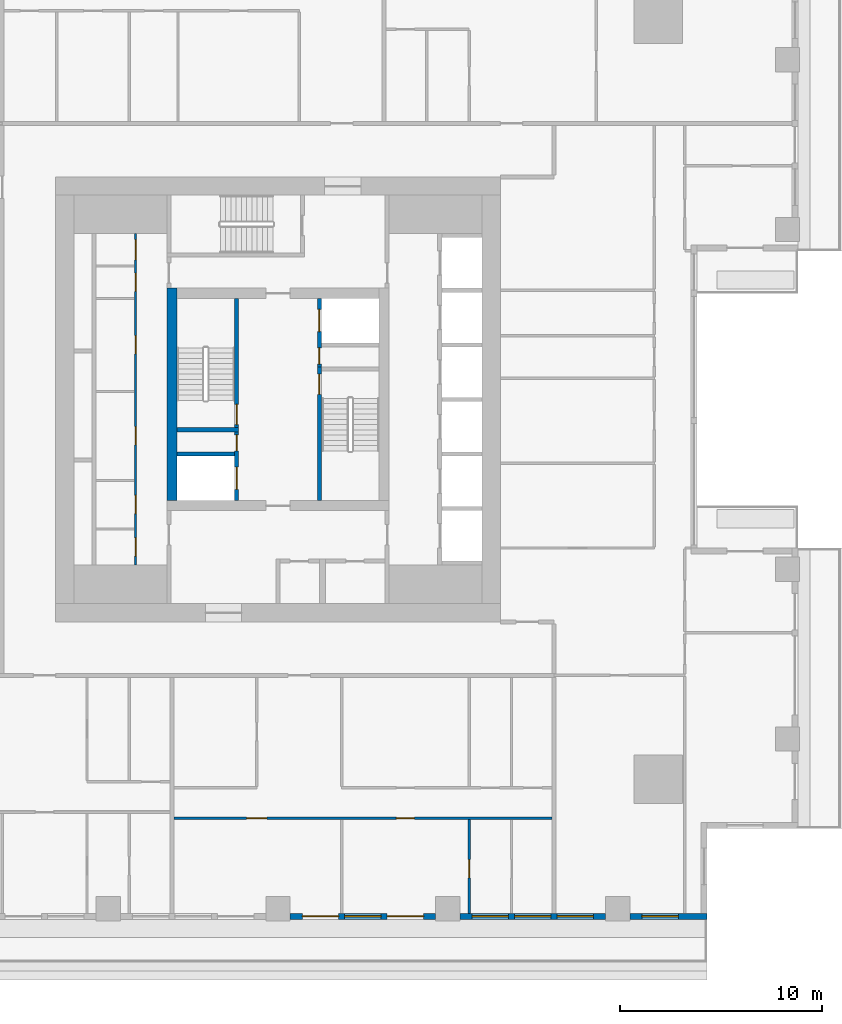
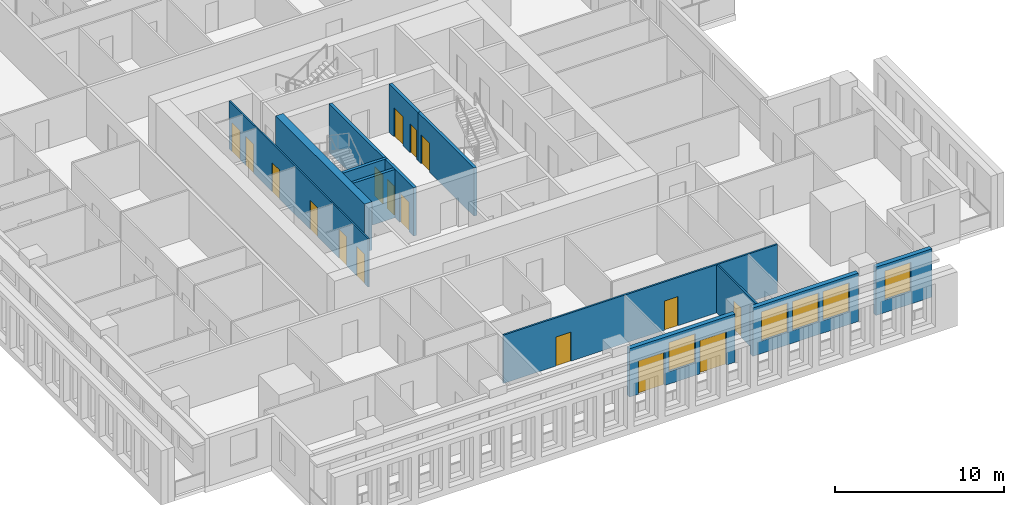
# One storey, part 4 of 16: 17 doors, 13 walls, 5 windows, 22 openings.
"""IFC4 building model written with IfcOpenShell, lengths in metres."""

from ifc_helpers import new_model, si_unit, direction, frame, frame_2d, origin, place, context, subcontext, project, spatial, rectangle, extrude, material, layer, layer_set, type_object, element, fill, save


model = new_model("IFC4")

# Units and contexts
model_context = context("Model", 3, precision=1e-05, world=origin(), true_north=direction((0.0, 1.0)))
body_context = subcontext(model_context, "Body", "Model", "MODEL_VIEW")
ifc_project = project(units=[si_unit("LENGTHUNIT", "METRE"), si_unit("AREAUNIT", "SQUARE_METRE"), si_unit("VOLUMEUNIT", "CUBIC_METRE"), si_unit("PLANEANGLEUNIT", "RADIAN"), si_unit("MASSUNIT", "GRAM", prefix="KILO")], contexts=[model_context])

# Site, building, storey
site_placement = place(None, origin())
site = spatial("IfcSite", under=ifc_project, at=site_placement, CompositionType="ELEMENT")
building_placement = place(site_placement, origin())
building = spatial("IfcBuilding", under=site, at=building_placement, Name="Khepri Terraces", CompositionType="ELEMENT")
storey_placement = place(building_placement, frame((0.0, 0.0, 204.0)))
storey = spatial("IfcBuildingStorey", under=building, at=storey_placement, Name="L48", CompositionType="ELEMENT", Elevation=204.0)

# Wall, opening, door
ifc_material_1 = material(Name="Concrete C50/60", Category="concrete")
ifc_layer_1 = layer(ifc_material_1, 0.199951171875, Name="Concrete C50/60", Category="concrete")
ifc_layer_set_1 = layer_set([ifc_layer_1], Name="Concrete C50/60")
wall_type_1 = type_object("IfcWallType", Name="Core wall 200 C50/60", PredefinedType="SHEAR", material=ifc_layer_set_1)
wall_1_placement = place(storey_placement, frame((2.050048828125, -5.0, 0.0), z_axis=(0.0, 0.0, 1.0), x_axis=(0.0, 1.0, 0.0)))
wall_1 = element("IfcWall", 1, at=wall_1_placement, inside=storey, type_object=wall_type_1, Name="Core wall ST01 L48", PredefinedType="SHEAR", context=body_context, shape_type="SweptSolid", body=[
    extrude(rectangle(XDim=6.60009765625, YDim=0.199951171875, at=frame_2d((3.300048828125, 0.0))), origin(), (0.0, 0.0, 1.0), 3.47998046875),
])
opening_1_placement = place(wall_1_placement, frame((5.25, 0.0, 0.0)))
opening_1 = element("IfcOpeningElement", 2, at=opening_1_placement, cuts=wall_1, Name="Opening L48-C10", PredefinedType="OPENING", context=body_context, shape_type="SweptSolid", body=[
    extrude(rectangle(XDim=1.0, YDim=2.10009765625, at=frame_2d((0.5, 1.050048828125))), frame((0.0, 0.10986328125, 0.0), z_axis=(0.0, -1.0, 0.0), x_axis=(1.0, 0.0, 0.0)), (0.0, 0.0, 1.0), 0.219970703125),
])
ifc_material_2 = material(Name="Painted steel", Category="steel")
door_type_1 = type_object("IfcDoorType", Name="DR-CORE-STAIR-1000", OperationType="NOTDEFINED", PredefinedType="DOOR", material=ifc_material_2)
door_1_placement = place(opening_1_placement, frame((1.0, 0.0, 0.0), z_axis=(0.0, 0.0, 1.0), x_axis=(-1.0, 0.0, 0.0)))
door_1 = element("IfcDoor", 3, at=door_1_placement, inside=storey, type_object=door_type_1, Name="Stair door L48-C10", OperationType="SINGLE_SWING_LEFT", OverallHeight=2.10009765625, OverallWidth=1.0, PredefinedType="DOOR", context=body_context, shape_type="SweptSolid", body=[
    extrude(rectangle(XDim=1.0, YDim=2.10009765625, at=frame_2d((0.5, 1.050048828125))), frame((0.0, 0.02490234375, 0.0), z_axis=(0.0, -1.0, 0.0), x_axis=(1.0, 0.0, 0.0)), (0.0, 0.0, 1.0), 0.050048828125),
])
fill(opening_1, door_1)

# Wall
wall_2_placement = place(storey_placement, frame((-5.0, -1.5, 0.0), z_axis=(0.0, 0.0, 1.0), x_axis=(1.0, 0.0, 0.0)))
element("IfcWall", 4, at=wall_2_placement, inside=storey, type_object=wall_type_1, Name="Core wall ST02 L48", PredefinedType="SHEAR", context=body_context, shape_type="SweptSolid", body=[
    extrude(rectangle(XDim=3.050048828125, YDim=0.199951171875, at=frame_2d((1.52490234375, 0.0))), origin(), (0.0, 0.0, 1.0), 3.47998046875),
])

# Wall, opening, door
wall_3_placement = place(storey_placement, frame((-2.050048828125, -1.39990234375, 0.0), z_axis=(0.0, 0.0, 1.0), x_axis=(0.0, 1.0, 0.0)))
wall_3 = element("IfcWall", 5, at=wall_3_placement, inside=storey, type_object=wall_type_1, Name="Core wall ST03 L48", PredefinedType="SHEAR", context=body_context, shape_type="SweptSolid", body=[
    extrude(rectangle(XDim=6.39990234375, YDim=0.199951171875, at=frame_2d((3.199951171875, 0.0))), origin(), (0.0, 0.0, 1.0), 3.47998046875),
])
opening_2_placement = place(wall_3_placement, frame((0.14990234375, 0.0, 0.0)))
opening_2 = element("IfcOpeningElement", 6, at=opening_2_placement, cuts=wall_3, Name="Opening L48-C09", PredefinedType="OPENING", context=body_context, shape_type="SweptSolid", body=[
    extrude(rectangle(XDim=1.0, YDim=2.10009765625, at=frame_2d((0.5, 1.050048828125))), frame((0.0, 0.10986328125, 0.0), z_axis=(0.0, -1.0, 0.0), x_axis=(1.0, 0.0, 0.0)), (0.0, 0.0, 1.0), 0.219970703125),
])
door_2_placement = place(opening_2_placement, origin())
door_2 = element("IfcDoor", 7, at=door_2_placement, inside=storey, type_object=door_type_1, Name="Stair door L48-C09", OperationType="SINGLE_SWING_LEFT", OverallHeight=2.10009765625, OverallWidth=1.0, PredefinedType="DOOR", context=body_context, shape_type="SweptSolid", body=[
    extrude(rectangle(XDim=1.0, YDim=2.10009765625, at=frame_2d((0.5, 1.050048828125))), frame((0.0, 0.02490234375, 0.0), z_axis=(0.0, -1.0, 0.0), x_axis=(1.0, 0.0, 0.0)), (0.0, 0.0, 1.0), 0.050048828125),
])
fill(opening_2, door_2)

# Wall, openings, doors
wall_4_placement = place(storey_placement, frame((-2.050048828125, -5.0, 0.0), z_axis=(0.0, 0.0, 1.0), x_axis=(0.0, 1.0, 0.0)))
wall_4 = element("IfcWall", 8, at=wall_4_placement, inside=storey, type_object=wall_type_1, Name="Core wall SH05 L48", PredefinedType="SHEAR", context=body_context, shape_type="SweptSolid", body=[
    extrude(rectangle(XDim=3.39990234375, YDim=0.199951171875, at=frame_2d((1.699951171875, 0.0))), origin(), (0.0, 0.0, 1.0), 3.47998046875),
])
opening_3_placement = place(wall_4_placement, frame((0.550048828125, 0.0, 0.0)))
opening_3 = element("IfcOpeningElement", 9, at=opening_3_placement, cuts=wall_4, Name="Opening L48-C08", PredefinedType="OPENING", context=body_context, shape_type="SweptSolid", body=[
    extrude(rectangle(XDim=1.10009765625, YDim=2.10009765625, at=frame_2d((0.550048828125, 1.050048828125))), frame((0.0, 0.10986328125, 0.0), z_axis=(0.0, -1.0, 0.0), x_axis=(1.0, 0.0, 0.0)), (0.0, 0.0, 1.0), 0.219970703125),
])
opening_4_placement = place(wall_4_placement, frame((2.449951171875, 0.0, 0.0)))
opening_4 = element("IfcOpeningElement", 10, at=opening_4_placement, cuts=wall_4, Name="Opening L48-C12", PredefinedType="OPENING", context=body_context, shape_type="SweptSolid", body=[
    extrude(rectangle(XDim=0.800048828125, YDim=2.10009765625, at=frame_2d((0.39990234375, 1.050048828125))), frame((0.0, 0.10986328125, 0.0), z_axis=(0.0, -1.0, 0.0), x_axis=(1.0, 0.0, 0.0)), (0.0, 0.0, 1.0), 0.219970703125),
])
ifc_material_3 = material(Name="Stainless steel 304", Category="steel")
door_type_2 = type_object("IfcDoorType", Name="DR-CORE-FF-LANDING-1100", OperationType="NOTDEFINED", PredefinedType="DOOR", material=ifc_material_3)
door_3_placement = place(opening_3_placement, origin())
door_3 = element("IfcDoor", 11, at=door_3_placement, inside=storey, type_object=door_type_2, Name="Firefighting lift landing door L48-C08", OperationType="SLIDING_TO_LEFT", OverallHeight=2.10009765625, OverallWidth=1.10009765625, PredefinedType="DOOR", context=body_context, shape_type="SweptSolid", body=[
    extrude(rectangle(XDim=1.10009765625, YDim=2.10009765625, at=frame_2d((0.550048828125, 1.050048828125))), frame((0.0, 0.02490234375, 0.0), z_axis=(0.0, -1.0, 0.0), x_axis=(1.0, 0.0, 0.0)), (0.0, 0.0, 1.0), 0.050048828125),
])
fill(opening_3, door_3)
door_type_3 = type_object("IfcDoorType", Name="DR-CORE-RISER-800", OperationType="NOTDEFINED", PredefinedType="DOOR", material=ifc_material_2)
door_4_placement = place(opening_4_placement, origin())
door_4 = element("IfcDoor", 12, at=door_4_placement, inside=storey, type_object=door_type_3, Name="Riser door L48-C12", OperationType="SINGLE_SWING_RIGHT", OverallHeight=2.10009765625, OverallWidth=0.800048828125, PredefinedType="DOOR", context=body_context, shape_type="SweptSolid", body=[
    extrude(rectangle(XDim=0.800048828125, YDim=2.10009765625, at=frame_2d((0.39990234375, 1.050048828125))), frame((0.0, 0.02490234375, 0.0), z_axis=(0.0, -1.0, 0.0), x_axis=(1.0, 0.0, 0.0)), (0.0, 0.0, 1.0), 0.050048828125),
])
fill(opening_4, door_4)

# Wall
wall_5_placement = place(storey_placement, frame((-5.0, -2.699951171875, 0.0), z_axis=(0.0, 0.0, 1.0), x_axis=(1.0, 0.0, 0.0)))
element("IfcWall", 13, at=wall_5_placement, inside=storey, type_object=wall_type_1, Name="Core wall SH07 L48", PredefinedType="SHEAR", context=body_context, shape_type="SweptSolid", body=[
    extrude(rectangle(XDim=2.85009765625, YDim=0.199951171875, at=frame_2d((1.425048828125, 0.0))), origin(), (0.0, 0.0, 1.0), 3.47998046875),
])

# Wall, openings, doors
wall_6_placement = place(storey_placement, frame((2.050048828125, 1.60009765625, 0.0), z_axis=(0.0, 0.0, 1.0), x_axis=(0.0, 1.0, 0.0)))
wall_6 = element("IfcWall", 14, at=wall_6_placement, inside=storey, type_object=wall_type_1, Name="Core wall SH10 L48", PredefinedType="SHEAR", context=body_context, shape_type="SweptSolid", body=[
    extrude(rectangle(XDim=3.39990234375, YDim=0.199951171875, at=frame_2d((1.699951171875, 0.0))), origin(), (0.0, 0.0, 1.0), 3.47998046875),
])
opening_5_placement = place(wall_6_placement, frame((1.75, 0.0, 0.0)))
opening_5 = element("IfcOpeningElement", 15, at=opening_5_placement, cuts=wall_6, Name="Opening L48-C07", PredefinedType="OPENING", context=body_context, shape_type="SweptSolid", body=[
    extrude(rectangle(XDim=1.10009765625, YDim=2.10009765625, at=frame_2d((0.550048828125, 1.050048828125))), frame((0.0, 0.10986328125, 0.0), z_axis=(0.0, -1.0, 0.0), x_axis=(1.0, 0.0, 0.0)), (0.0, 0.0, 1.0), 0.219970703125),
])
opening_6_placement = place(wall_6_placement, frame((0.14990234375, 0.0, 0.0)))
opening_6 = element("IfcOpeningElement", 16, at=opening_6_placement, cuts=wall_6, Name="Opening L48-C11", PredefinedType="OPENING", context=body_context, shape_type="SweptSolid", body=[
    extrude(rectangle(XDim=0.800048828125, YDim=2.10009765625, at=frame_2d((0.39990234375, 1.050048828125))), frame((0.0, 0.10986328125, 0.0), z_axis=(0.0, -1.0, 0.0), x_axis=(1.0, 0.0, 0.0)), (0.0, 0.0, 1.0), 0.219970703125),
])
door_5_placement = place(opening_5_placement, origin())
door_5 = element("IfcDoor", 17, at=door_5_placement, inside=storey, type_object=door_type_2, Name="Firefighting lift landing door L48-C07", OperationType="SLIDING_TO_LEFT", OverallHeight=2.10009765625, OverallWidth=1.10009765625, PredefinedType="DOOR", context=body_context, shape_type="SweptSolid", body=[
    extrude(rectangle(XDim=1.10009765625, YDim=2.10009765625, at=frame_2d((0.550048828125, 1.050048828125))), frame((0.0, 0.02490234375, 0.0), z_axis=(0.0, -1.0, 0.0), x_axis=(1.0, 0.0, 0.0)), (0.0, 0.0, 1.0), 0.050048828125),
])
fill(opening_5, door_5)
door_6_placement = place(opening_6_placement, frame((0.800048828125, 0.0, 0.0), z_axis=(0.0, 0.0, 1.0), x_axis=(-1.0, 0.0, 0.0)))
door_6 = element("IfcDoor", 18, at=door_6_placement, inside=storey, type_object=door_type_3, Name="Riser door L48-C11", OperationType="SINGLE_SWING_RIGHT", OverallHeight=2.10009765625, OverallWidth=0.800048828125, PredefinedType="DOOR", context=body_context, shape_type="SweptSolid", body=[
    extrude(rectangle(XDim=0.800048828125, YDim=2.10009765625, at=frame_2d((0.39990234375, 1.050048828125))), frame((0.0, 0.02490234375, 0.0), z_axis=(0.0, -1.0, 0.0), x_axis=(1.0, 0.0, 0.0)), (0.0, 0.0, 1.0), 0.050048828125),
])
fill(opening_6, door_6)

# Wall
ifc_layer_2 = layer(ifc_material_1, 0.5, Name="Concrete C50/60", Category="concrete")
ifc_layer_set_2 = layer_set([ifc_layer_2], Name="Concrete C50/60")
wall_type_2 = type_object("IfcWallType", Name="Core wall 500 C50/60", PredefinedType="SHEAR", material=ifc_layer_set_2)
wall_7_placement = place(storey_placement, frame((-5.25, -5.0, 0.0), z_axis=(0.0, 0.0, 1.0), x_axis=(0.0, 1.0, 0.0)))
element("IfcWall", 19, at=wall_7_placement, inside=storey, type_object=wall_type_2, Name="Core wall BX02 L48", PredefinedType="SHEAR", context=body_context, shape_type="SweptSolid", body=[
    extrude(rectangle(XDim=10.5, YDim=0.5, at=frame_2d((5.25, 0.0))), origin(), (0.0, 0.0, 1.0), 3.47998046875),
])

# Wall, openings, doors
ifc_material_4 = material(Name="Fire-rated gypsum board partition")
ifc_layer_3 = layer(ifc_material_4, 0.10009765625, Name="Fire-rated gypsum board partition")
ifc_layer_set_3 = layer_set([ifc_layer_3], Name="Fire-rated gypsum board partition")
wall_type_3 = type_object("IfcWallType", Name="WL-CORE-PART-100", PredefinedType="PARTITIONING", material=ifc_layer_set_3)
wall_8_placement = place(storey_placement, frame((-7.050048828125, -8.199951171875, 0.0), z_axis=(0.0, 0.0, 1.0), x_axis=(0.0, 1.0, 0.0)))
wall_8 = element("IfcWall", 20, at=wall_8_placement, inside=storey, type_object=wall_type_3, Name="Core partition PT05 L48", PredefinedType="PARTITIONING", context=body_context, shape_type="SweptSolid", body=[
    extrude(rectangle(XDim=16.39990234375, YDim=0.10009765625, at=frame_2d((8.199951171875, 0.0))), origin(), (0.0, 0.0, 1.0), 3.47998046875),
])
opening_7_placement = place(wall_8_placement, frame((0.449951171875, 0.0, 0.0)))
opening_7 = element("IfcOpeningElement", 21, at=opening_7_placement, cuts=wall_8, Name="Opening L48-C24", PredefinedType="OPENING", context=body_context, shape_type="SweptSolid", body=[
    extrude(rectangle(XDim=0.89990234375, YDim=2.10009765625, at=frame_2d((0.449951171875, 1.050048828125))), frame((0.0, 0.06005859375, 0.0), z_axis=(0.0, -1.0, 0.0), x_axis=(1.0, 0.0, 0.0)), (0.0, 0.0, 1.0), 0.1201171875),
])
opening_8_placement = place(wall_8_placement, frame((2.550048828125, 0.0, 0.0)))
opening_8 = element("IfcOpeningElement", 22, at=opening_8_placement, cuts=wall_8, Name="Opening L48-C25", PredefinedType="OPENING", context=body_context, shape_type="SweptSolid", body=[
    extrude(rectangle(XDim=0.89990234375, YDim=2.10009765625, at=frame_2d((0.449951171875, 1.050048828125))), frame((0.0, 0.06005859375, 0.0), z_axis=(0.0, -1.0, 0.0), x_axis=(1.0, 0.0, 0.0)), (0.0, 0.0, 1.0), 0.1201171875),
])
opening_9_placement = place(wall_8_placement, frame((5.949951171875, 0.0, 0.0)))
opening_9 = element("IfcOpeningElement", 23, at=opening_9_placement, cuts=wall_8, Name="Opening L48-C26", PredefinedType="OPENING", context=body_context, shape_type="SweptSolid", body=[
    extrude(rectangle(XDim=0.89990234375, YDim=2.10009765625, at=frame_2d((0.449951171875, 1.050048828125))), frame((0.0, 0.06005859375, 0.0), z_axis=(0.0, -1.0, 0.0), x_axis=(1.0, 0.0, 0.0)), (0.0, 0.0, 1.0), 0.1201171875),
])
opening_10_placement = place(wall_8_placement, frame((10.449951171875, 0.0, 0.0)))
opening_10 = element("IfcOpeningElement", 24, at=opening_10_placement, cuts=wall_8, Name="Opening L48-C27", PredefinedType="OPENING", context=body_context, shape_type="SweptSolid", body=[
    extrude(rectangle(XDim=0.89990234375, YDim=2.10009765625, at=frame_2d((0.449951171875, 1.050048828125))), frame((0.0, 0.06005859375, 0.0), z_axis=(0.0, -1.0, 0.0), x_axis=(1.0, 0.0, 0.0)), (0.0, 0.0, 1.0), 0.1201171875),
])
opening_11_placement = place(wall_8_placement, frame((13.550048828125, 0.0, 0.0)))
opening_11 = element("IfcOpeningElement", 25, at=opening_11_placement, cuts=wall_8, Name="Opening L48-C28", PredefinedType="OPENING", context=body_context, shape_type="SweptSolid", body=[
    extrude(rectangle(XDim=0.89990234375, YDim=2.10009765625, at=frame_2d((0.449951171875, 1.050048828125))), frame((0.0, 0.06005859375, 0.0), z_axis=(0.0, -1.0, 0.0), x_axis=(1.0, 0.0, 0.0)), (0.0, 0.0, 1.0), 0.1201171875),
])
opening_12_placement = place(wall_8_placement, frame((15.10009765625, 0.0, 0.0)))
opening_12 = element("IfcOpeningElement", 26, at=opening_12_placement, cuts=wall_8, Name="Opening L48-C29", PredefinedType="OPENING", context=body_context, shape_type="SweptSolid", body=[
    extrude(rectangle(XDim=1.0, YDim=2.10009765625, at=frame_2d((0.5, 1.050048828125))), frame((0.0, 0.06005859375, 0.0), z_axis=(0.0, -1.0, 0.0), x_axis=(1.0, 0.0, 0.0)), (0.0, 0.0, 1.0), 0.1201171875),
])
door_type_4 = type_object("IfcDoorType", Name="DR-CORE-SERVICE-900", OperationType="NOTDEFINED", PredefinedType="DOOR", material=ifc_material_2)
door_7_placement = place(opening_7_placement, origin())
door_7 = element("IfcDoor", 27, at=door_7_placement, inside=storey, type_object=door_type_4, Name="Service room door L48-C24", OperationType="SINGLE_SWING_LEFT", OverallHeight=2.10009765625, OverallWidth=0.89990234375, PredefinedType="DOOR", context=body_context, shape_type="SweptSolid", body=[
    extrude(rectangle(XDim=0.89990234375, YDim=2.10009765625, at=frame_2d((0.449951171875, 1.050048828125))), frame((0.0, 0.02490234375, 0.0), z_axis=(0.0, -1.0, 0.0), x_axis=(1.0, 0.0, 0.0)), (0.0, 0.0, 1.0), 0.050048828125),
])
fill(opening_7, door_7)
door_8_placement = place(opening_8_placement, origin())
door_8 = element("IfcDoor", 28, at=door_8_placement, inside=storey, type_object=door_type_4, Name="Service room door L48-C25", OperationType="SINGLE_SWING_LEFT", OverallHeight=2.10009765625, OverallWidth=0.89990234375, PredefinedType="DOOR", context=body_context, shape_type="SweptSolid", body=[
    extrude(rectangle(XDim=0.89990234375, YDim=2.10009765625, at=frame_2d((0.449951171875, 1.050048828125))), frame((0.0, 0.02490234375, 0.0), z_axis=(0.0, -1.0, 0.0), x_axis=(1.0, 0.0, 0.0)), (0.0, 0.0, 1.0), 0.050048828125),
])
fill(opening_8, door_8)
door_9_placement = place(opening_9_placement, origin())
door_9 = element("IfcDoor", 29, at=door_9_placement, inside=storey, type_object=door_type_4, Name="Service room door L48-C26", OperationType="SINGLE_SWING_LEFT", OverallHeight=2.10009765625, OverallWidth=0.89990234375, PredefinedType="DOOR", context=body_context, shape_type="SweptSolid", body=[
    extrude(rectangle(XDim=0.89990234375, YDim=2.10009765625, at=frame_2d((0.449951171875, 1.050048828125))), frame((0.0, 0.02490234375, 0.0), z_axis=(0.0, -1.0, 0.0), x_axis=(1.0, 0.0, 0.0)), (0.0, 0.0, 1.0), 0.050048828125),
])
fill(opening_9, door_9)
door_10_placement = place(opening_10_placement, origin())
door_10 = element("IfcDoor", 30, at=door_10_placement, inside=storey, type_object=door_type_4, Name="Service room door L48-C27", OperationType="SINGLE_SWING_RIGHT", OverallHeight=2.10009765625, OverallWidth=0.89990234375, PredefinedType="DOOR", context=body_context, shape_type="SweptSolid", body=[
    extrude(rectangle(XDim=0.89990234375, YDim=2.10009765625, at=frame_2d((0.449951171875, 1.050048828125))), frame((0.0, 0.02490234375, 0.0), z_axis=(0.0, -1.0, 0.0), x_axis=(1.0, 0.0, 0.0)), (0.0, 0.0, 1.0), 0.050048828125),
])
fill(opening_10, door_10)
door_11_placement = place(opening_11_placement, origin())
door_11 = element("IfcDoor", 31, at=door_11_placement, inside=storey, type_object=door_type_4, Name="Service room door L48-C28", OperationType="SINGLE_SWING_RIGHT", OverallHeight=2.10009765625, OverallWidth=0.89990234375, PredefinedType="DOOR", context=body_context, shape_type="SweptSolid", body=[
    extrude(rectangle(XDim=0.89990234375, YDim=2.10009765625, at=frame_2d((0.449951171875, 1.050048828125))), frame((0.0, 0.02490234375, 0.0), z_axis=(0.0, -1.0, 0.0), x_axis=(1.0, 0.0, 0.0)), (0.0, 0.0, 1.0), 0.050048828125),
])
fill(opening_11, door_11)
ifc_material_5 = material(Name="Timber veneer", Category="wood")
door_type_5 = type_object("IfcDoorType", Name="DR-CORE-WC-1000", OperationType="NOTDEFINED", PredefinedType="DOOR", material=ifc_material_5)
door_12_placement = place(opening_12_placement, origin())
door_12 = element("IfcDoor", 32, at=door_12_placement, inside=storey, type_object=door_type_5, Name="WC door L48-C29", OperationType="SINGLE_SWING_RIGHT", OverallHeight=2.10009765625, OverallWidth=1.0, PredefinedType="DOOR", context=body_context, shape_type="SweptSolid", body=[
    extrude(rectangle(XDim=1.0, YDim=2.10009765625, at=frame_2d((0.5, 1.050048828125))), frame((0.0, 0.02490234375, 0.0), z_axis=(0.0, -1.0, 0.0), x_axis=(1.0, 0.0, 0.0)), (0.0, 0.0, 1.0), 0.050048828125),
])
fill(opening_12, door_12)

# Wall, openings, doors, window
ifc_material_6 = material(Name="Precast concrete C50/60 warm stone", Category="masonry")
ifc_layer_4 = layer(ifc_material_6, 0.300048828125, Name="Precast concrete C50/60 warm stone", Category="masonry")
ifc_layer_set_4 = layer_set([ifc_layer_4], Name="Precast concrete C50/60 warm stone")
wall_type_4 = type_object("IfcWallType", Name="WL-EXT-PRECAST-300", PredefinedType="STANDARD", material=ifc_layer_set_4)
wall_9_placement = place(storey_placement, frame((0.60009765625, -25.570068359375, 0.0), z_axis=(0.0, 0.0, 1.0), x_axis=(1.0, 0.0, 0.0)))
wall_9 = element("IfcWall", 33, at=wall_9_placement, inside=storey, type_object=wall_type_4, Name="External wall L48 S", PredefinedType="STANDARD", context=body_context, shape_type="SweptSolid", body=[
    extrude(rectangle(XDim=7.199951171875, YDim=0.300048828125, at=frame_2d((3.60009765625, 0.0))), origin(), (0.0, 0.0, 1.0), 3.47998046875),
])
opening_13_placement = place(wall_9_placement, frame((0.60009765625, 0.0, 0.0)))
opening_13 = element("IfcOpeningElement", 34, at=opening_13_placement, cuts=wall_9, Name="Opening ED-L48-19", PredefinedType="OPENING", context=body_context, shape_type="SweptSolid", body=[
    extrude(rectangle(XDim=1.800048828125, YDim=2.39990234375, at=frame_2d((0.89990234375, 1.199951171875))), frame((0.0, 0.16015625, 0.0), z_axis=(0.0, -1.0, 0.0), x_axis=(1.0, 0.0, 0.0)), (0.0, 0.0, 1.0), 0.320068359375),
])
opening_14_placement = place(wall_9_placement, frame((2.699951171875, 0.0, 0.89990234375)))
opening_14 = element("IfcOpeningElement", 35, at=opening_14_placement, cuts=wall_9, Name="Opening W1", PredefinedType="OPENING", context=body_context, shape_type="SweptSolid", body=[
    extrude(rectangle(XDim=1.800048828125, YDim=2.10009765625, at=frame_2d((0.89990234375, 1.050048828125))), frame((0.0, 0.16015625, 0.0), z_axis=(0.0, -1.0, 0.0), x_axis=(1.0, 0.0, 0.0)), (0.0, 0.0, 1.0), 0.320068359375),
])
opening_15_placement = place(wall_9_placement, frame((4.800048828125, 0.0, 0.0)))
opening_15 = element("IfcOpeningElement", 36, at=opening_15_placement, cuts=wall_9, Name="Opening ED-L48-20", PredefinedType="OPENING", context=body_context, shape_type="SweptSolid", body=[
    extrude(rectangle(XDim=1.800048828125, YDim=2.39990234375, at=frame_2d((0.89990234375, 1.199951171875))), frame((0.0, 0.16015625, 0.0), z_axis=(0.0, -1.0, 0.0), x_axis=(1.0, 0.0, 0.0)), (0.0, 0.0, 1.0), 0.320068359375),
])
ifc_material_7 = material(Name="Anodised aluminium bronze glazed door", Category="aluminium")
door_type_6 = type_object("IfcDoorType", Name="DR-BAL-SLIDE-1800x2400", OperationType="NOTDEFINED", PredefinedType="DOOR", material=ifc_material_7)
door_13_placement = place(opening_13_placement, origin())
door_13 = element("IfcDoor", 37, at=door_13_placement, inside=storey, type_object=door_type_6, Name="Balcony door L48 S", OperationType="SLIDING_TO_LEFT", OverallHeight=2.39990234375, OverallWidth=1.800048828125, PredefinedType="DOOR", context=body_context, shape_type="SweptSolid", body=[
    extrude(rectangle(XDim=1.800048828125, YDim=2.39990234375, at=frame_2d((0.89990234375, 1.199951171875))), frame((0.0, 0.02490234375, 0.0), z_axis=(0.0, -1.0, 0.0), x_axis=(1.0, 0.0, 0.0)), (0.0, 0.0, 1.0), 0.050048828125),
])
fill(opening_13, door_13)
door_14_placement = place(opening_15_placement, origin())
door_14 = element("IfcDoor", 38, at=door_14_placement, inside=storey, type_object=door_type_6, Name="Balcony door L48 S", OperationType="SLIDING_TO_RIGHT", OverallHeight=2.39990234375, OverallWidth=1.800048828125, PredefinedType="DOOR", context=body_context, shape_type="SweptSolid", body=[
    extrude(rectangle(XDim=1.800048828125, YDim=2.39990234375, at=frame_2d((0.89990234375, 1.199951171875))), frame((0.0, 0.02490234375, 0.0), z_axis=(0.0, -1.0, 0.0), x_axis=(1.0, 0.0, 0.0)), (0.0, 0.0, 1.0), 0.050048828125),
])
fill(opening_15, door_14)
ifc_material_8 = material(Name="Clear glass", Category="glass")
window_type = type_object("IfcWindowType", Name="WIN-RES-1800x2100", PartitioningType="SINGLE_PANEL", PredefinedType="WINDOW", material=ifc_material_8)
window_1_placement = place(opening_14_placement, origin())
window_1 = element("IfcWindow", 39, at=window_1_placement, inside=storey, type_object=window_type, Name="Window L48 S", OverallHeight=2.10009765625, OverallWidth=1.800048828125, PartitioningType="SINGLE_PANEL", PredefinedType="WINDOW", context=body_context, shape_type="SweptSolid", body=[
    extrude(rectangle(XDim=1.800048828125, YDim=2.10009765625, at=frame_2d((0.89990234375, 1.050048828125))), frame((0.0, 0.030029296875, 0.0), z_axis=(0.0, -1.0, 0.0), x_axis=(1.0, 0.0, 0.0)), (0.0, 0.0, 1.0), 0.06005859375),
])
fill(opening_14, window_1)

# Wall, openings, windows
wall_10_placement = place(storey_placement, frame((9.0, -25.570068359375, 0.0), z_axis=(0.0, 0.0, 1.0), x_axis=(1.0, 0.0, 0.0)))
wall_10 = element("IfcWall", 40, at=wall_10_placement, inside=storey, type_object=wall_type_4, Name="External wall L48 S", PredefinedType="STANDARD", context=body_context, shape_type="SweptSolid", body=[
    extrude(rectangle(XDim=7.199951171875, YDim=0.300048828125, at=frame_2d((3.60009765625, 0.0))), origin(), (0.0, 0.0, 1.0), 3.47998046875),
])
opening_16_placement = place(wall_10_placement, frame((0.60009765625, 0.0, 0.89990234375)))
opening_16 = element("IfcOpeningElement", 41, at=opening_16_placement, cuts=wall_10, Name="Opening W1", PredefinedType="OPENING", context=body_context, shape_type="SweptSolid", body=[
    extrude(rectangle(XDim=1.800048828125, YDim=2.10009765625, at=frame_2d((0.89990234375, 1.050048828125))), frame((0.0, 0.16015625, 0.0), z_axis=(0.0, -1.0, 0.0), x_axis=(1.0, 0.0, 0.0)), (0.0, 0.0, 1.0), 0.320068359375),
])
opening_17_placement = place(wall_10_placement, frame((2.699951171875, 0.0, 0.89990234375)))
opening_17 = element("IfcOpeningElement", 42, at=opening_17_placement, cuts=wall_10, Name="Opening W1", PredefinedType="OPENING", context=body_context, shape_type="SweptSolid", body=[
    extrude(rectangle(XDim=1.800048828125, YDim=2.10009765625, at=frame_2d((0.89990234375, 1.050048828125))), frame((0.0, 0.16015625, 0.0), z_axis=(0.0, -1.0, 0.0), x_axis=(1.0, 0.0, 0.0)), (0.0, 0.0, 1.0), 0.320068359375),
])
opening_18_placement = place(wall_10_placement, frame((4.800048828125, 0.0, 0.89990234375)))
opening_18 = element("IfcOpeningElement", 43, at=opening_18_placement, cuts=wall_10, Name="Opening W1", PredefinedType="OPENING", context=body_context, shape_type="SweptSolid", body=[
    extrude(rectangle(XDim=1.800048828125, YDim=2.10009765625, at=frame_2d((0.89990234375, 1.050048828125))), frame((0.0, 0.16015625, 0.0), z_axis=(0.0, -1.0, 0.0), x_axis=(1.0, 0.0, 0.0)), (0.0, 0.0, 1.0), 0.320068359375),
])
window_2_placement = place(opening_16_placement, origin())
window_2 = element("IfcWindow", 44, at=window_2_placement, inside=storey, type_object=window_type, Name="Window L48 S", OverallHeight=2.10009765625, OverallWidth=1.800048828125, PartitioningType="SINGLE_PANEL", PredefinedType="WINDOW", context=body_context, shape_type="SweptSolid", body=[
    extrude(rectangle(XDim=1.800048828125, YDim=2.10009765625, at=frame_2d((0.89990234375, 1.050048828125))), frame((0.0, 0.030029296875, 0.0), z_axis=(0.0, -1.0, 0.0), x_axis=(1.0, 0.0, 0.0)), (0.0, 0.0, 1.0), 0.06005859375),
])
fill(opening_16, window_2)
window_3_placement = place(opening_17_placement, origin())
window_3 = element("IfcWindow", 45, at=window_3_placement, inside=storey, type_object=window_type, Name="Window L48 S", OverallHeight=2.10009765625, OverallWidth=1.800048828125, PartitioningType="SINGLE_PANEL", PredefinedType="WINDOW", context=body_context, shape_type="SweptSolid", body=[
    extrude(rectangle(XDim=1.800048828125, YDim=2.10009765625, at=frame_2d((0.89990234375, 1.050048828125))), frame((0.0, 0.030029296875, 0.0), z_axis=(0.0, -1.0, 0.0), x_axis=(1.0, 0.0, 0.0)), (0.0, 0.0, 1.0), 0.06005859375),
])
fill(opening_17, window_3)
window_4_placement = place(opening_18_placement, origin())
window_4 = element("IfcWindow", 46, at=window_4_placement, inside=storey, type_object=window_type, Name="Window L48 S", OverallHeight=2.10009765625, OverallWidth=1.800048828125, PartitioningType="SINGLE_PANEL", PredefinedType="WINDOW", context=body_context, shape_type="SweptSolid", body=[
    extrude(rectangle(XDim=1.800048828125, YDim=2.10009765625, at=frame_2d((0.89990234375, 1.050048828125))), frame((0.0, 0.030029296875, 0.0), z_axis=(0.0, -1.0, 0.0), x_axis=(1.0, 0.0, 0.0)), (0.0, 0.0, 1.0), 0.06005859375),
])
fill(opening_18, window_4)

# Wall, opening, window
wall_11_placement = place(storey_placement, frame((17.39990234375, -25.570068359375, 0.0), z_axis=(0.0, 0.0, 1.0), x_axis=(1.0, 0.0, 0.0)))
wall_11 = element("IfcWall", 47, at=wall_11_placement, inside=storey, type_object=wall_type_4, Name="External wall L48 S", PredefinedType="STANDARD", context=body_context, shape_type="SweptSolid", body=[
    extrude(rectangle(XDim=3.820068359375, YDim=0.300048828125, at=frame_2d((1.91015625, 0.0))), origin(), (0.0, 0.0, 1.0), 3.47998046875),
])
opening_19_placement = place(wall_11_placement, frame((0.60009765625, 0.0, 0.89990234375)))
opening_19 = element("IfcOpeningElement", 48, at=opening_19_placement, cuts=wall_11, Name="Opening W1", PredefinedType="OPENING", context=body_context, shape_type="SweptSolid", body=[
    extrude(rectangle(XDim=1.800048828125, YDim=2.10009765625, at=frame_2d((0.89990234375, 1.050048828125))), frame((0.0, 0.16015625, 0.0), z_axis=(0.0, -1.0, 0.0), x_axis=(1.0, 0.0, 0.0)), (0.0, 0.0, 1.0), 0.320068359375),
])
window_5_placement = place(opening_19_placement, origin())
window_5 = element("IfcWindow", 49, at=window_5_placement, inside=storey, type_object=window_type, Name="Window L48 S", OverallHeight=2.10009765625, OverallWidth=1.800048828125, PartitioningType="SINGLE_PANEL", PredefinedType="WINDOW", context=body_context, shape_type="SweptSolid", body=[
    extrude(rectangle(XDim=1.800048828125, YDim=2.10009765625, at=frame_2d((0.89990234375, 1.050048828125))), frame((0.0, 0.030029296875, 0.0), z_axis=(0.0, -1.0, 0.0), x_axis=(1.0, 0.0, 0.0)), (0.0, 0.0, 1.0), 0.06005859375),
])
fill(opening_19, window_5)

# Wall, opening, door
ifc_material_9 = material(Name="Gypsum plasterboard partition")
ifc_layer_5 = layer(ifc_material_9, 0.1201171875, Name="Gypsum plasterboard partition")
ifc_layer_set_5 = layer_set([ifc_layer_5], Name="Gypsum plasterboard partition")
wall_type_5 = type_object("IfcWallType", Name="WL-PART-120", PredefinedType="PARTITIONING", material=ifc_layer_set_5)
wall_12_placement = place(storey_placement, frame((9.449951171875, -25.419921875, 0.0), z_axis=(0.0, 0.0, 1.0), x_axis=(0.0, 1.0, 0.0)))
wall_12 = element("IfcWall", 50, at=wall_12_placement, inside=storey, type_object=wall_type_5, Name="Partition P-006 L48", PredefinedType="PARTITIONING", context=body_context, shape_type="SweptSolid", body=[
    extrude(rectangle(XDim=4.639892578125, YDim=0.1201171875, at=frame_2d((2.31982421875, 0.0))), origin(), (0.0, 0.0, 1.0), 3.47998046875),
])
opening_20_placement = place(wall_12_placement, frame((1.75, 0.0, 0.0)))
opening_20 = element("IfcOpeningElement", 51, at=opening_20_placement, cuts=wall_12, Name="Opening D3", PredefinedType="OPENING", context=body_context, shape_type="SweptSolid", body=[
    extrude(rectangle(XDim=0.89990234375, YDim=2.10009765625, at=frame_2d((0.449951171875, 1.050048828125))), frame((0.0, 0.070068359375, 0.0), z_axis=(0.0, -1.0, 0.0), x_axis=(1.0, 0.0, 0.0)), (0.0, 0.0, 1.0), 0.14013671875),
])
ifc_material_10 = material(Name="Timber door leaf", Category="wood")
door_type_7 = type_object("IfcDoorType", Name="DR-INT-900", OperationType="NOTDEFINED", PredefinedType="DOOR", material=ifc_material_10)
door_15_placement = place(opening_20_placement, frame((0.89990234375, 0.0, 0.0), z_axis=(0.0, 0.0, 1.0), x_axis=(-1.0, 0.0, 0.0)))
door_15 = element("IfcDoor", 52, at=door_15_placement, inside=storey, type_object=door_type_7, Name="Door Dressing Room", OperationType="SINGLE_SWING_RIGHT", OverallHeight=2.10009765625, OverallWidth=0.89990234375, PredefinedType="DOOR", context=body_context, shape_type="SweptSolid", body=[
    extrude(rectangle(XDim=0.89990234375, YDim=2.10009765625, at=frame_2d((0.449951171875, 1.050048828125))), frame((0.0, 0.02490234375, 0.0), z_axis=(0.0, -1.0, 0.0), x_axis=(1.0, 0.0, 0.0)), (0.0, 0.0, 1.0), 0.050048828125),
])
fill(opening_20, door_15)

# Wall, openings, doors
wall_13_placement = place(storey_placement, frame((-5.14990234375, -20.719970703125, 0.0), z_axis=(0.0, 0.0, 1.0), x_axis=(1.0, 0.0, 0.0)))
wall_13 = element("IfcWall", 53, at=wall_13_placement, inside=storey, type_object=wall_type_5, Name="Partition P-011 L48", PredefinedType="PARTITIONING", context=body_context, shape_type="SweptSolid", body=[
    extrude(rectangle(XDim=18.699951171875, YDim=0.1201171875, at=frame_2d((9.35009765625, 0.0))), origin(), (0.0, 0.0, 1.0), 3.47998046875),
])
opening_21_placement = place(wall_13_placement, frame((3.60009765625, 0.0, 0.0)))
opening_21 = element("IfcOpeningElement", 54, at=opening_21_placement, cuts=wall_13, Name="Opening D2", PredefinedType="OPENING", context=body_context, shape_type="SweptSolid", body=[
    extrude(rectangle(XDim=1.0, YDim=2.10009765625, at=frame_2d((0.5, 1.050048828125))), frame((0.0, 0.070068359375, 0.0), z_axis=(0.0, -1.0, 0.0), x_axis=(1.0, 0.0, 0.0)), (0.0, 0.0, 1.0), 0.14013671875),
])
opening_22_placement = place(wall_13_placement, frame((11.0, 0.0, 0.0)))
opening_22 = element("IfcOpeningElement", 55, at=opening_22_placement, cuts=wall_13, Name="Opening D3", PredefinedType="OPENING", context=body_context, shape_type="SweptSolid", body=[
    extrude(rectangle(XDim=0.89990234375, YDim=2.10009765625, at=frame_2d((0.449951171875, 1.050048828125))), frame((0.0, 0.070068359375, 0.0), z_axis=(0.0, -1.0, 0.0), x_axis=(1.0, 0.0, 0.0)), (0.0, 0.0, 1.0), 0.14013671875),
])
ifc_material_11 = material(Name="Timber door leaf, living room door", Category="wood")
door_type_8 = type_object("IfcDoorType", Name="DR-INT-1000", OperationType="NOTDEFINED", PredefinedType="DOOR", material=ifc_material_11)
door_16_placement = place(opening_21_placement, frame((1.0, 0.0, 0.0), z_axis=(0.0, 0.0, 1.0), x_axis=(-1.0, 0.0, 0.0)))
door_16 = element("IfcDoor", 56, at=door_16_placement, inside=storey, type_object=door_type_8, Name="Door Living Room", OperationType="SINGLE_SWING_RIGHT", OverallHeight=2.10009765625, OverallWidth=1.0, PredefinedType="DOOR", context=body_context, shape_type="SweptSolid", body=[
    extrude(rectangle(XDim=1.0, YDim=2.10009765625, at=frame_2d((0.5, 1.050048828125))), frame((0.0, 0.02490234375, 0.0), z_axis=(0.0, -1.0, 0.0), x_axis=(1.0, 0.0, 0.0)), (0.0, 0.0, 1.0), 0.050048828125),
])
fill(opening_21, door_16)
door_17_placement = place(opening_22_placement, frame((0.89990234375, 0.0, 0.0), z_axis=(0.0, 0.0, 1.0), x_axis=(-1.0, 0.0, 0.0)))
door_17 = element("IfcDoor", 57, at=door_17_placement, inside=storey, type_object=door_type_7, Name="Door Master Bedroom", OperationType="SINGLE_SWING_LEFT", OverallHeight=2.10009765625, OverallWidth=0.89990234375, PredefinedType="DOOR", context=body_context, shape_type="SweptSolid", body=[
    extrude(rectangle(XDim=0.89990234375, YDim=2.10009765625, at=frame_2d((0.449951171875, 1.050048828125))), frame((0.0, 0.02490234375, 0.0), z_axis=(0.0, -1.0, 0.0), x_axis=(1.0, 0.0, 0.0)), (0.0, 0.0, 1.0), 0.050048828125),
])
fill(opening_22, door_17)

save(model, "model.ifc")
